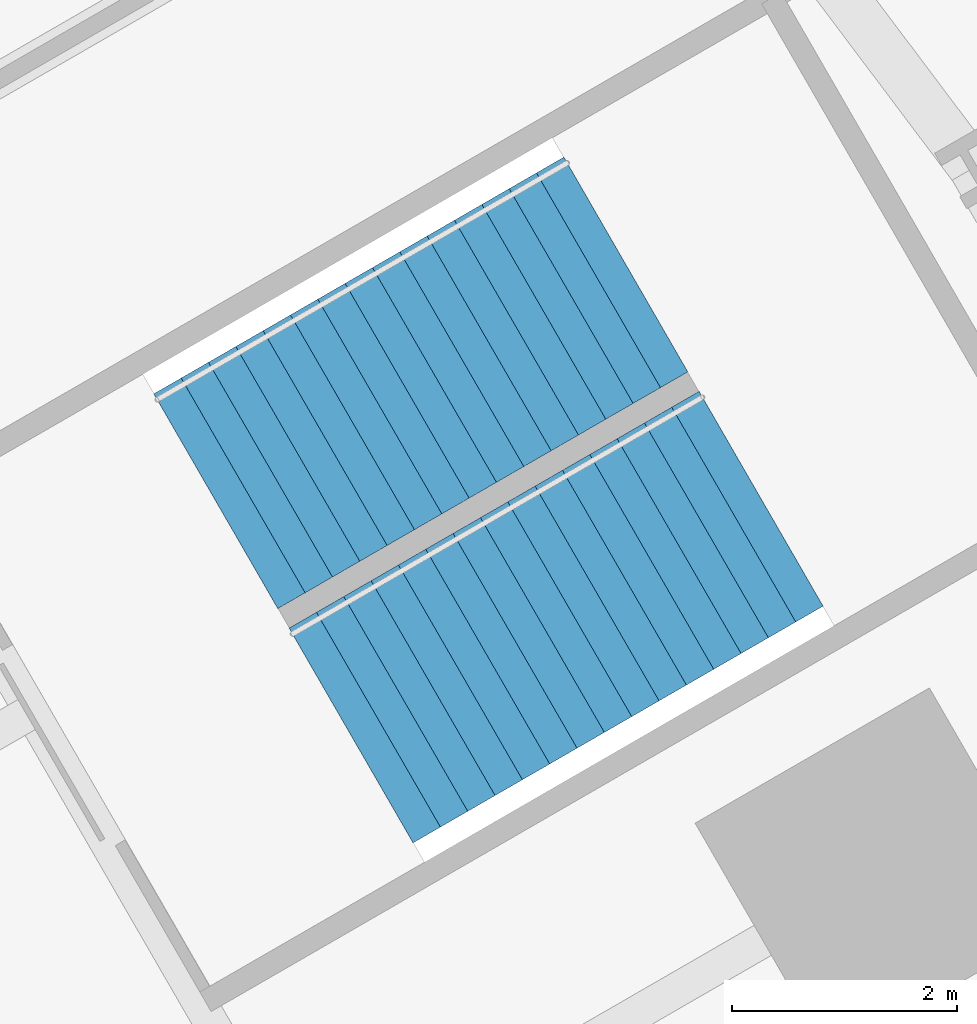
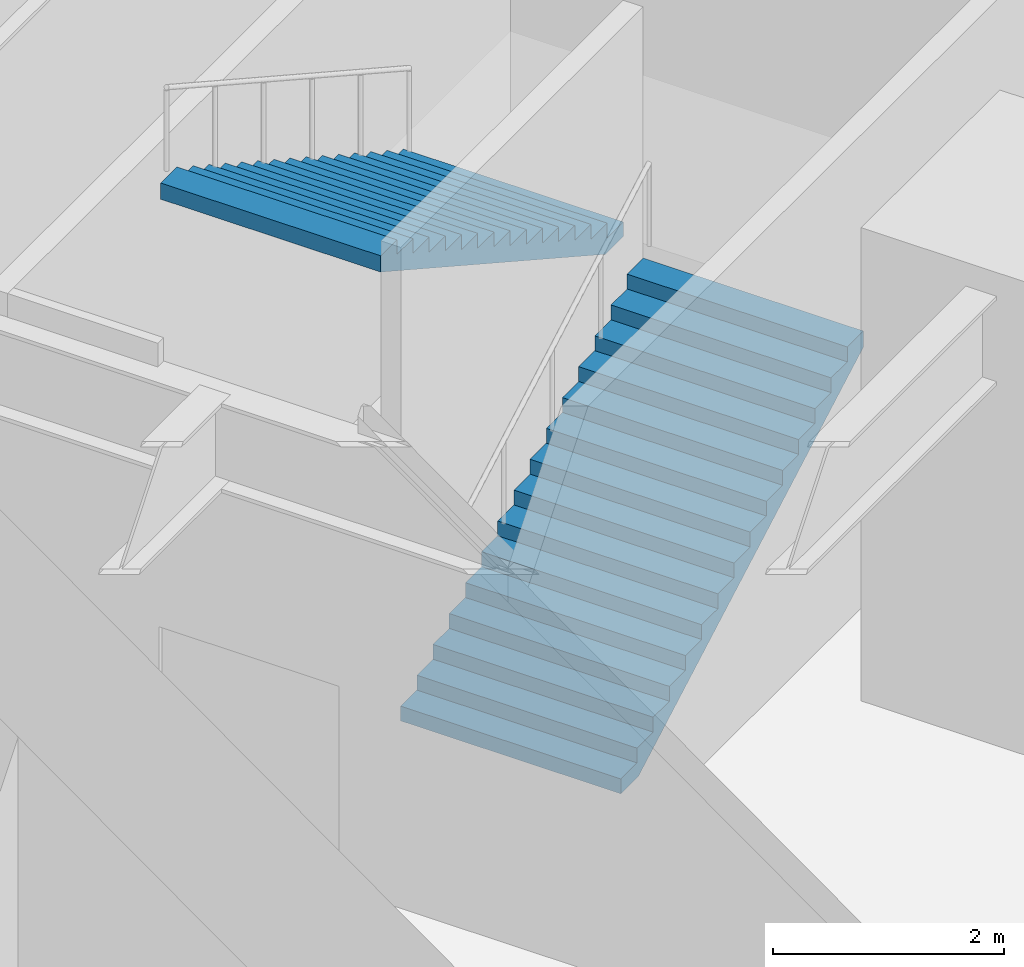
# One storey, part 17 of 20: 2 stair flights, 1 element without a shape of its own.
"""IFC4 building model written with IfcOpenShell, lengths in metres."""

from ifc_helpers import new_model, si_unit, direction, frame, origin, place, context, subcontext, project, spatial, polyline, outline, extrude, material, type_object, element, aggregate, save


model = new_model("IFC4")

# Units and contexts
model_context = context("Model", 3, precision=1e-05, world=origin(), true_north=direction((0.0, 1.0)))
body_context = subcontext(model_context, "Body", "Model", "MODEL_VIEW")
ifc_project = project(units=[si_unit("LENGTHUNIT", "METRE"), si_unit("AREAUNIT", "SQUARE_METRE"), si_unit("VOLUMEUNIT", "CUBIC_METRE"), si_unit("PLANEANGLEUNIT", "RADIAN"), si_unit("MASSUNIT", "GRAM", prefix="KILO")], contexts=[model_context])

# Site, building, storey
site_placement = place(None, origin())
site = spatial("IfcSite", under=ifc_project, at=site_placement, CompositionType="ELEMENT")
building_placement = place(site_placement, origin())
building = spatial("IfcBuilding", under=site, at=building_placement, Name="Trikona Tower", CompositionType="ELEMENT")
storey_placement = place(building_placement, frame((0.0, 0.0, 6.0)))
storey = spatial("IfcBuildingStorey", under=building, at=storey_placement, Name="L01", CompositionType="ELEMENT", Elevation=6.0)

# Stair, stair flights
ifc_material_1 = material(Name="Concrete f'c 5000 psi", Category="concrete")
stair_type = type_object("IfcStairType", Name="Podium stair", PredefinedType="HALF_TURN_STAIR", material=ifc_material_1)
stair_placement = place(storey_placement, origin())
stair = element("IfcStair", 1, at=stair_placement, inside=storey, type_object=stair_type, Name="Podium stair PS2 L01", PredefinedType="HALF_TURN_STAIR")
ifc_material_2 = material(Name="Concrete f'c 5000 psi", Category="concrete")
stair_flight_type = type_object("IfcStairFlightType", Name="Podium stair flight 2200", PredefinedType="STRAIGHT", material=ifc_material_2)
stair_flight_1_placement = place(storey_placement, frame((10.620361328125, 10.0576171875, 0.0), z_axis=(0.0, 0.0, 1.0), x_axis=(0.866025403784, 0.5, 0.0)))
stair_flight_1 = element("IfcStairFlight", 2, at=stair_flight_1_placement, type_object=stair_flight_type, Name="PS2 flight 1", NumberOfRisers=16, NumberOfTreads=15, PredefinedType="STRAIGHT", RiserHeight=0.15625, TreadLength=0.28, context=body_context, shape_type="SweptSolid", body=[
    extrude(outline(polyline([(0.0, 0.0), (0.0, 0.15625), (0.280029296875, 0.15625), (0.280029296875, 0.3125), (0.56005859375, 0.3125), (0.56005859375, 0.46875), (0.840087890625, 0.46875), (0.840087890625, 0.625), (1.1201171875, 0.625), (1.1201171875, 0.78125), (1.39990234375, 0.78125), (1.39990234375, 0.9375), (1.679931640625, 0.9375), (1.679931640625, 1.09375), (1.9599609375, 1.09375), (1.9599609375, 1.25), (2.239990234375, 1.25), (2.239990234375, 1.40625), (2.52001953125, 1.40625), (2.52001953125, 1.5625), (2.800048828125, 1.5625), (2.800048828125, 1.71875), (3.080078125, 1.71875), (3.080078125, 1.875), (3.360107421875, 1.875), (3.360107421875, 2.03125), (3.639892578125, 2.03125), (3.639892578125, 2.1875), (3.919921875, 2.1875), (3.919921875, 2.34375), (4.199951171875, 2.34375), (4.199951171875, 2.5), (4.199951171875, 2.172119140625), (0.3076171875, 0.0), (0.0, 0.0)])), frame((0.0, 1.10009765625, 0.0), z_axis=(0.0, -1.0, 0.0), x_axis=(1.0, 0.0, 0.0)), (0.0, 0.0, 1.0), 2.199951171875),
])
stair_flight_2_placement = place(storey_placement, frame((13.0576171875, 14.236083984375, 2.5), z_axis=(0.0, 0.0, 1.0), x_axis=(-0.866025403784, -0.5, 0.0)))
stair_flight_2 = element("IfcStairFlight", 3, at=stair_flight_2_placement, type_object=stair_flight_type, Name="PS2 flight 2", NumberOfRisers=16, NumberOfTreads=15, PredefinedType="STRAIGHT", RiserHeight=0.15625, TreadLength=0.28, context=body_context, shape_type="SweptSolid", body=[
    extrude(outline(polyline([(0.0, 0.0), (0.0, 0.15625), (0.280029296875, 0.15625), (0.280029296875, 0.3125), (0.56005859375, 0.3125), (0.56005859375, 0.46875), (0.840087890625, 0.46875), (0.840087890625, 0.625), (1.1201171875, 0.625), (1.1201171875, 0.78125), (1.39990234375, 0.78125), (1.39990234375, 0.9375), (1.679931640625, 0.9375), (1.679931640625, 1.09375), (1.9599609375, 1.09375), (1.9599609375, 1.25), (2.239990234375, 1.25), (2.239990234375, 1.40625), (2.52001953125, 1.40625), (2.52001953125, 1.5625), (2.800048828125, 1.5625), (2.800048828125, 1.71875), (3.080078125, 1.71875), (3.080078125, 1.875), (3.360107421875, 1.875), (3.360107421875, 2.03125), (3.639892578125, 2.03125), (3.639892578125, 2.1875), (3.919921875, 2.1875), (3.919921875, 2.34375), (4.199951171875, 2.34375), (4.199951171875, 2.5), (4.199951171875, 2.172119140625), (0.3076171875, 0.0), (0.0, 0.0)])), frame((0.0, 1.10009765625, 0.0), z_axis=(0.0, -1.0, 0.0), x_axis=(1.0, 0.0, 0.0)), (0.0, 0.0, 1.0), 2.199951171875),
])
aggregate(stair, [stair_flight_1, stair_flight_2])

save(model, "model.ifc")
